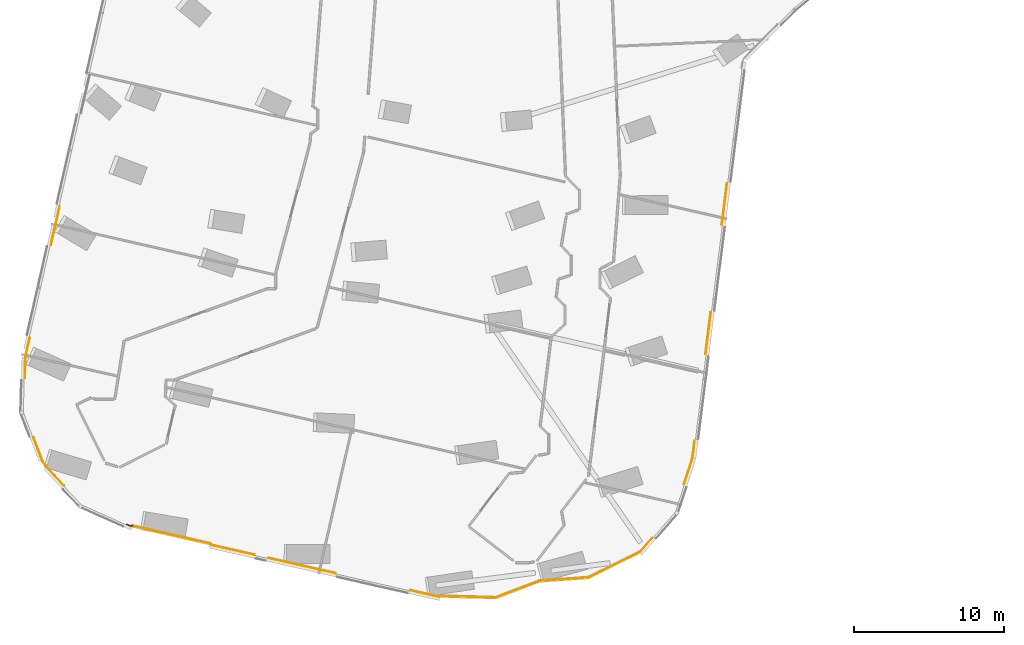
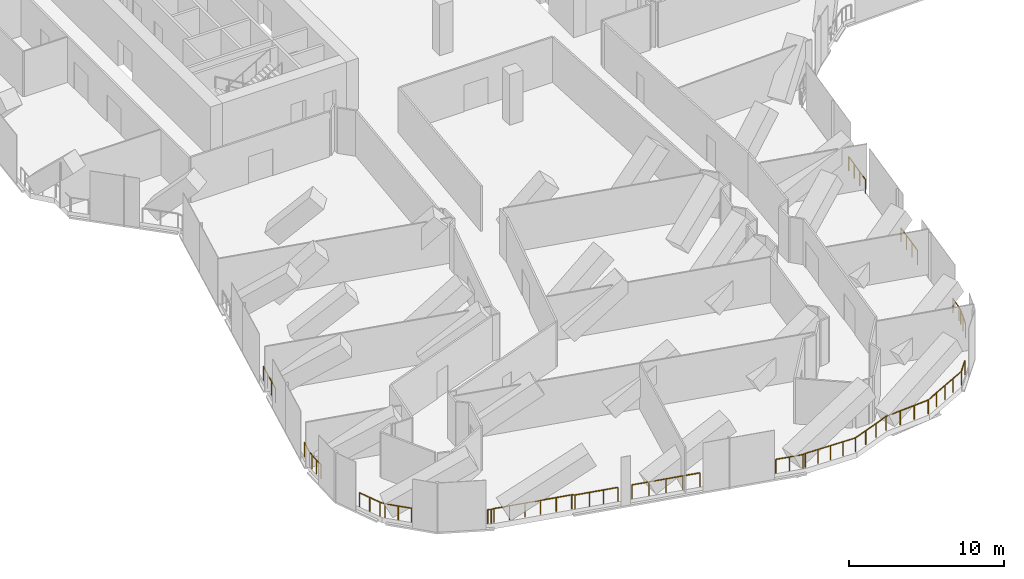
# One storey, part 26 of 29: 12 railings.
"""IFC4 building model written with IfcOpenShell, lengths in metres."""

from ifc_helpers import new_model, si_unit, direction, frame, origin, origin_2d, place, context, subcontext, project, spatial, circle, extrude, material, type_object, element, save


model = new_model("IFC4")

# Units and contexts
model_context = context("Model", 3, precision=1e-05, world=origin(), true_north=direction((0.0, 1.0)))
body_context = subcontext(model_context, "Body", "Model", "MODEL_VIEW")
ifc_project = project(units=[si_unit("LENGTHUNIT", "METRE"), si_unit("AREAUNIT", "SQUARE_METRE"), si_unit("VOLUMEUNIT", "CUBIC_METRE"), si_unit("PLANEANGLEUNIT", "RADIAN"), si_unit("MASSUNIT", "GRAM", prefix="KILO")], contexts=[model_context])

# Site, building, storey
site_placement = place(None, origin())
site = spatial("IfcSite", under=ifc_project, at=site_placement, CompositionType="ELEMENT")
building_placement = place(site_placement, origin())
building = spatial("IfcBuilding", under=site, at=building_placement, Name="Orlundy Tower", CompositionType="ELEMENT")
storey_placement = place(building_placement, frame((0.0, 0.0, 184.60009765625)))
storey = spatial("IfcBuildingStorey", under=building, at=storey_placement, Name="L48", CompositionType="ELEMENT", Elevation=184.60009765625)

# Railings
ifc_material = material(Name="Stainless steel bronze finish", Category="steel")
railing_type = type_object("IfcRailingType", Name="TG1 terrace guard", PredefinedType="GUARDRAIL", material=ifc_material)
railing_1_placement = place(storey_placement, frame((-15.550537109375, -58.466796875, 0.0)))
element("IfcRailing", 1, at=railing_1_placement, inside=storey, type_object=railing_type, Name="Guard TG-L48-E00", PredefinedType="GUARDRAIL", context=body_context, shape_type="SweptSolid", body=[
    extrude(circle(Radius=0.02490234375, at=origin_2d()), frame((0.0, 0.0, 1.09521484375), z_axis=(-0.975020089099, 0.222116694224, 0.0), x_axis=(-0.222116694224, -0.975020089099, 0.0)), (0.0, 0.0, 1.0), 2.874267578125),
    extrude(circle(Radius=0.02490234375, at=origin_2d()), frame((-2.802490234375, 0.638427734375, 1.09521484375), z_axis=(-0.823048318215, 0.567971360091, 0.0), x_axis=(-0.567971360091, -0.823048318215, 0.0)), (0.0, 0.0, 1.0), 0.21533203125),
    extrude(circle(Radius=0.02490234375, at=origin_2d()), frame((-2.979736328125, 0.7607421875, 1.09521484375), z_axis=(-0.975026770207, 0.222087364294, 0.0), x_axis=(-0.222087364294, -0.975026770207, 0.0)), (0.0, 0.0, 1.0), 5.250244140625),
    extrude(circle(Radius=0.02001953125, at=origin_2d()), origin(), (0.0, 0.0, 1.0), 1.070068359375),
    extrude(circle(Radius=0.02001953125, at=origin_2d()), frame((-0.93408203125, 0.212890625, 0.0)), (0.0, 0.0, 1.0), 1.070068359375),
    extrude(circle(Radius=0.02001953125, at=origin_2d()), frame((-1.868408203125, 0.425537109375, 0.0)), (0.0, 0.0, 1.0), 1.070068359375),
    extrude(circle(Radius=0.02001953125, at=origin_2d()), frame((-2.802490234375, 0.638427734375, 0.0)), (0.0, 0.0, 1.0), 1.070068359375),
    extrude(circle(Radius=0.02001953125, at=origin_2d()), frame((-2.979736328125, 0.7607421875, 0.0)), (0.0, 0.0, 1.0), 1.070068359375),
    extrude(circle(Radius=0.02001953125, at=origin_2d()), frame((-4.003662109375, 0.993896484375, 0.0)), (0.0, 0.0, 1.0), 1.070068359375),
    extrude(circle(Radius=0.02001953125, at=origin_2d()), frame((-5.02734375, 1.22705078125, 0.0)), (0.0, 0.0, 1.0), 1.070068359375),
    extrude(circle(Radius=0.02001953125, at=origin_2d()), frame((-6.05126953125, 1.46044921875, 0.0)), (0.0, 0.0, 1.0), 1.070068359375),
    extrude(circle(Radius=0.02001953125, at=origin_2d()), frame((-7.074951171875, 1.693603515625, 0.0)), (0.0, 0.0, 1.0), 1.070068359375),
    extrude(circle(Radius=0.02001953125, at=origin_2d()), frame((-8.098876953125, 1.9267578125, 0.0)), (0.0, 0.0, 1.0), 1.070068359375),
])
railing_2_placement = place(storey_placement, frame((6.65966796875, -59.962890625, 0.0)))
element("IfcRailing", 2, at=railing_2_placement, inside=storey, type_object=railing_type, Name="Guard TG-L48-E01", PredefinedType="GUARDRAIL", context=body_context, shape_type="SweptSolid", body=[
    extrude(circle(Radius=0.02490234375, at=origin_2d()), frame((0.0, 0.0, 1.09521484375), z_axis=(-0.997456428478, -0.071278841802, 0.0), x_axis=(0.071278841802, -0.997456428478, 0.0)), (0.0, 0.0, 1.0), 3.2744140625),
    extrude(circle(Radius=0.02490234375, at=origin_2d()), frame((-3.26611328125, -0.2333984375, 1.09521484375), z_axis=(-0.934697593147, -0.355443960936, 0.0), x_axis=(0.355443960936, -0.934697593147, 0.0)), (0.0, 0.0, 1.0), 3.112060546875),
    extrude(circle(Radius=0.02001953125, at=origin_2d()), origin(), (0.0, 0.0, 1.0), 1.070068359375),
    extrude(circle(Radius=0.02001953125, at=origin_2d()), frame((-1.088623046875, -0.077880859375, 0.0)), (0.0, 0.0, 1.0), 1.070068359375),
    extrude(circle(Radius=0.02001953125, at=origin_2d()), frame((-2.177490234375, -0.155517578125, 0.0)), (0.0, 0.0, 1.0), 1.070068359375),
    extrude(circle(Radius=0.02001953125, at=origin_2d()), frame((-3.26611328125, -0.2333984375, 0.0)), (0.0, 0.0, 1.0), 1.070068359375),
    extrude(circle(Radius=0.02001953125, at=origin_2d()), frame((-4.23583984375, -0.60205078125, 0.0)), (0.0, 0.0, 1.0), 1.070068359375),
    extrude(circle(Radius=0.02001953125, at=origin_2d()), frame((-5.205322265625, -0.970947265625, 0.0)), (0.0, 0.0, 1.0), 1.070068359375),
    extrude(circle(Radius=0.02001953125, at=origin_2d()), frame((-6.175048828125, -1.339599609375, 0.0)), (0.0, 0.0, 1.0), 1.070068359375),
])
railing_3_placement = place(storey_placement, frame((0.484619140625, -61.302490234375, 0.0)))
element("IfcRailing", 3, at=railing_3_placement, inside=storey, type_object=railing_type, Name="Guard TG-L48-E07", PredefinedType="GUARDRAIL", context=body_context, shape_type="SweptSolid", body=[
    extrude(circle(Radius=0.02490234375, at=origin_2d()), frame((0.0, 0.0, 1.09521484375), z_axis=(-0.999619667215, 0.027577543707, 0.0), x_axis=(-0.027577543707, -0.999619667215, 0.0)), (0.0, 0.0, 1.0), 3.682861328125),
    extrude(circle(Radius=0.02490234375, at=origin_2d()), frame((-3.681396484375, 0.1015625, 1.09521484375), z_axis=(-0.98177985059, -0.190021906566, 0.0), x_axis=(0.190021906566, -0.98177985059, 0.0)), (0.0, 0.0, 1.0), 0.192626953125),
    extrude(circle(Radius=0.02490234375, at=origin_2d()), frame((-3.87060546875, 0.06494140625, 1.09521484375), z_axis=(-0.975035936391, 0.222047118301, 0.0), x_axis=(-0.222047118301, -0.975035936391, 0.0)), (0.0, 0.0, 1.0), 1.832763671875),
    extrude(circle(Radius=0.02001953125, at=origin_2d()), origin(), (0.0, 0.0, 1.0), 1.070068359375),
    extrude(circle(Radius=0.02001953125, at=origin_2d()), frame((-0.92041015625, 0.025390625, 0.0)), (0.0, 0.0, 1.0), 1.070068359375),
    extrude(circle(Radius=0.02001953125, at=origin_2d()), frame((-1.8408203125, 0.05078125, 0.0)), (0.0, 0.0, 1.0), 1.070068359375),
    extrude(circle(Radius=0.02001953125, at=origin_2d()), frame((-2.760986328125, 0.076171875, 0.0)), (0.0, 0.0, 1.0), 1.070068359375),
    extrude(circle(Radius=0.02001953125, at=origin_2d()), frame((-3.681396484375, 0.1015625, 0.0)), (0.0, 0.0, 1.0), 1.070068359375),
    extrude(circle(Radius=0.02001953125, at=origin_2d()), frame((-3.87060546875, 0.06494140625, 0.0)), (0.0, 0.0, 1.0), 1.070068359375),
    extrude(circle(Radius=0.02001953125, at=origin_2d()), frame((-4.76416015625, 0.2685546875, 0.0)), (0.0, 0.0, 1.0), 1.070068359375),
    extrude(circle(Radius=0.02001953125, at=origin_2d()), frame((-5.65771484375, 0.471923828125, 0.0)), (0.0, 0.0, 1.0), 1.070068359375),
])
railing_4_placement = place(storey_placement, frame((10.893798828125, -57.337890625, 0.0)))
element("IfcRailing", 4, at=railing_4_placement, inside=storey, type_object=railing_type, Name="Guard TG-L48-E010", PredefinedType="GUARDRAIL", context=body_context, shape_type="SweptSolid", body=[
    extrude(circle(Radius=0.02490234375, at=origin_2d()), frame((0.0, 0.0, 1.09521484375), z_axis=(-0.654953776494, -0.755668942498, 0.0), x_axis=(0.755668942498, -0.654953776494, 0.0)), (0.0, 0.0, 1.0), 1.199951171875),
    extrude(circle(Radius=0.02490234375, at=origin_2d()), frame((-0.785888671875, -0.90673828125, 1.09521484375), z_axis=(-0.895034713302, -0.445996482032, 0.0), x_axis=(0.445996482032, -0.895034713302, 0.0)), (0.0, 0.0, 1.0), 3.8525390625),
    extrude(circle(Radius=0.02001953125, at=origin_2d()), origin(), (0.0, 0.0, 1.0), 1.070068359375),
    extrude(circle(Radius=0.02001953125, at=origin_2d()), frame((-0.785888671875, -0.90673828125, 0.0)), (0.0, 0.0, 1.0), 1.070068359375),
    extrude(circle(Radius=0.02001953125, at=origin_2d()), frame((-1.64794921875, -1.33642578125, 0.0)), (0.0, 0.0, 1.0), 1.070068359375),
    extrude(circle(Radius=0.02001953125, at=origin_2d()), frame((-2.510009765625, -1.765869140625, 0.0)), (0.0, 0.0, 1.0), 1.070068359375),
    extrude(circle(Radius=0.02001953125, at=origin_2d()), frame((-3.3720703125, -2.1953125, 0.0)), (0.0, 0.0, 1.0), 1.070068359375),
    extrude(circle(Radius=0.02001953125, at=origin_2d()), frame((-4.234130859375, -2.625, 0.0)), (0.0, 0.0, 1.0), 1.070068359375),
])
railing_5_placement = place(storey_placement, frame((-10.15966796875, -59.694580078125, 0.0)))
element("IfcRailing", 5, at=railing_5_placement, inside=storey, type_object=railing_type, Name="Guard TG-L48-E014", PredefinedType="GUARDRAIL", context=body_context, shape_type="SweptSolid", body=[
    extrude(circle(Radius=0.02490234375, at=origin_2d()), frame((0.0, 0.0, 1.09521484375), z_axis=(-0.975035422707, 0.22204937394, 0.0), x_axis=(-0.22204937394, -0.975035422707, 0.0)), (0.0, 0.0, 1.0), 4.582763671875),
    extrude(circle(Radius=0.02001953125, at=origin_2d()), origin(), (0.0, 0.0, 1.0), 1.070068359375),
    extrude(circle(Radius=0.02001953125, at=origin_2d()), frame((-1.1171875, 0.25439453125, 0.0)), (0.0, 0.0, 1.0), 1.070068359375),
    extrude(circle(Radius=0.02001953125, at=origin_2d()), frame((-2.234130859375, 0.5087890625, 0.0)), (0.0, 0.0, 1.0), 1.070068359375),
    extrude(circle(Radius=0.02001953125, at=origin_2d()), frame((-3.35107421875, 0.76318359375, 0.0)), (0.0, 0.0, 1.0), 1.070068359375),
    extrude(circle(Radius=0.02001953125, at=origin_2d()), frame((-4.46826171875, 1.017578125, 0.0)), (0.0, 0.0, 1.0), 1.070068359375),
])
railing_6_placement = place(storey_placement, frame((-28.223388671875, -53.855712890625, 0.0)))
element("IfcRailing", 6, at=railing_6_placement, inside=storey, type_object=railing_type, Name="Guard TG-L48-E019", PredefinedType="GUARDRAIL", context=body_context, shape_type="SweptSolid", body=[
    extrude(circle(Radius=0.02490234375, at=origin_2d()), frame((0.0, 0.0, 1.09521484375), z_axis=(-0.687121206875, 0.726542804701, 0.0), x_axis=(-0.726542804701, -0.687121206875, 0.0)), (0.0, 0.0, 1.0), 1.771240234375),
    extrude(circle(Radius=0.02490234375, at=origin_2d()), frame((-1.217041015625, 1.286865234375, 1.09521484375), z_axis=(-0.532675764427, 0.846319401876, 0.0), x_axis=(-0.846319401876, -0.532675764427, 0.0)), (0.0, 0.0, 1.0), 0.376708984375),
    extrude(circle(Radius=0.02490234375, at=origin_2d()), frame((-1.417724609375, 1.605712890625, 1.09521484375), z_axis=(-0.357170956201, 0.934039029188, 0.0), x_axis=(-0.934039029188, -0.357170956201, 0.0)), (0.0, 0.0, 1.0), 1.68359375),
    extrude(circle(Radius=0.02001953125, at=origin_2d()), origin(), (0.0, 0.0, 1.0), 1.070068359375),
    extrude(circle(Radius=0.02001953125, at=origin_2d()), frame((-0.6083984375, 0.6435546875, 0.0)), (0.0, 0.0, 1.0), 1.070068359375),
    extrude(circle(Radius=0.02001953125, at=origin_2d()), frame((-1.217041015625, 1.286865234375, 0.0)), (0.0, 0.0, 1.0), 1.070068359375),
    extrude(circle(Radius=0.02001953125, at=origin_2d()), frame((-1.417724609375, 1.605712890625, 0.0)), (0.0, 0.0, 1.0), 1.070068359375),
    extrude(circle(Radius=0.02001953125, at=origin_2d()), frame((-1.71826171875, 2.39208984375, 0.0)), (0.0, 0.0, 1.0), 1.070068359375),
    extrude(circle(Radius=0.02001953125, at=origin_2d()), frame((-2.01904296875, 3.17822265625, 0.0)), (0.0, 0.0, 1.0), 1.070068359375),
])
railing_7_placement = place(storey_placement, frame((13.717041015625, -50.900634765625, 0.0)))
element("IfcRailing", 7, at=railing_7_placement, inside=storey, type_object=railing_type, Name="Guard TG-L48-E025", PredefinedType="GUARDRAIL", context=body_context, shape_type="SweptSolid", body=[
    extrude(circle(Radius=0.02490234375, at=origin_2d()), frame((0.0, 0.0, 1.09521484375), z_axis=(-0.124750222663, -0.992188178697, 0.0), x_axis=(0.992188178697, -0.124750222663, 0.0)), (0.0, 0.0, 1.0), 1.0078125),
    extrude(circle(Radius=0.02490234375, at=origin_2d()), frame((-0.125732421875, -1.0, 1.09521484375), z_axis=(-0.221566998334, -0.975145150862, 0.0), x_axis=(0.975145150862, -0.221566998334, 0.0)), (0.0, 0.0, 1.0), 0.39013671875),
    extrude(circle(Radius=0.02490234375, at=origin_2d()), frame((-0.212158203125, -1.38037109375, 1.09521484375), z_axis=(-0.315900953165, -0.948792173128, 0.0), x_axis=(0.948792173128, -0.315900953165, 0.0)), (0.0, 0.0, 1.0), 1.56884765625),
    extrude(circle(Radius=0.02001953125, at=origin_2d()), origin(), (0.0, 0.0, 1.0), 1.070068359375),
    extrude(circle(Radius=0.02001953125, at=origin_2d()), frame((-0.125732421875, -1.0, 0.0)), (0.0, 0.0, 1.0), 1.070068359375),
    extrude(circle(Radius=0.02001953125, at=origin_2d()), frame((-0.212158203125, -1.38037109375, 0.0)), (0.0, 0.0, 1.0), 1.070068359375),
    extrude(circle(Radius=0.02001953125, at=origin_2d()), frame((-0.4599609375, -2.12451171875, 0.0)), (0.0, 0.0, 1.0), 1.070068359375),
    extrude(circle(Radius=0.02001953125, at=origin_2d()), frame((-0.707763671875, -2.868896484375, 0.0)), (0.0, 0.0, 1.0), 1.070068359375),
])
railing_8_placement = place(storey_placement, frame((14.79150390625, -42.352783203125, 0.0)))
element("IfcRailing", 8, at=railing_8_placement, inside=storey, type_object=railing_type, Name="Guard TG-L48-E026", PredefinedType="GUARDRAIL", context=body_context, shape_type="SweptSolid", body=[
    extrude(circle(Radius=0.02490234375, at=origin_2d()), frame((0.0, 0.0, 1.09521484375), z_axis=(-0.124706269176, -0.992193704086, 0.0), x_axis=(0.992193704086, -0.124706269176, 0.0)), (0.0, 0.0, 1.0), 2.774169921875),
    extrude(circle(Radius=0.02001953125, at=origin_2d()), origin(), (0.0, 0.0, 1.0), 1.070068359375),
    extrude(circle(Radius=0.02001953125, at=origin_2d()), frame((-0.115234375, -0.91748046875, 0.0)), (0.0, 0.0, 1.0), 1.070068359375),
    extrude(circle(Radius=0.02001953125, at=origin_2d()), frame((-0.230712890625, -1.8349609375, 0.0)), (0.0, 0.0, 1.0), 1.070068359375),
    extrude(circle(Radius=0.02001953125, at=origin_2d()), frame((-0.345947265625, -2.75244140625, 0.0)), (0.0, 0.0, 1.0), 1.070068359375),
])
railing_9_placement = place(storey_placement, frame((15.871337890625, -33.76416015625, 0.0)))
element("IfcRailing", 9, at=railing_9_placement, inside=storey, type_object=railing_type, Name="Guard TG-L48-E027", PredefinedType="GUARDRAIL", context=body_context, shape_type="SweptSolid", body=[
    extrude(circle(Radius=0.02490234375, at=origin_2d()), frame((0.0, 0.0, 1.09521484375), z_axis=(-0.124654924716, -0.99220015609, 0.0), x_axis=(0.99220015609, -0.124654924716, 0.0)), (0.0, 0.0, 1.0), 2.761474609375),
    extrude(circle(Radius=0.02001953125, at=origin_2d()), origin(), (0.0, 0.0, 1.0), 1.070068359375),
    extrude(circle(Radius=0.02001953125, at=origin_2d()), frame((-0.11474609375, -0.913330078125, 0.0)), (0.0, 0.0, 1.0), 1.070068359375),
    extrude(circle(Radius=0.02001953125, at=origin_2d()), frame((-0.2294921875, -1.82666015625, 0.0)), (0.0, 0.0, 1.0), 1.070068359375),
    extrude(circle(Radius=0.02001953125, at=origin_2d()), frame((-0.34423828125, -2.739990234375, 0.0)), (0.0, 0.0, 1.0), 1.070068359375),
])
railing_10_placement = place(storey_placement, frame((-30.82763671875, -46.70751953125, 0.0)))
element("IfcRailing", 10, at=railing_10_placement, inside=storey, type_object=railing_type, Name="Guard TG-L48-E028", PredefinedType="GUARDRAIL", context=body_context, shape_type="SweptSolid", body=[
    extrude(circle(Radius=0.02490234375, at=origin_2d()), frame((0.0, 0.0, 1.09521484375), z_axis=(0.027750443107, 0.999614882296, 0.0), x_axis=(-0.999614882296, 0.027750443107, 0.0)), (0.0, 0.0, 1.0), 1.222900390625),
    extrude(circle(Radius=0.02490234375, at=origin_2d()), frame((0.033935546875, 1.222412109375, 1.09521484375), z_axis=(0.125728252523, 0.992064718916, 0.0), x_axis=(-0.992064718916, 0.125728252523, 0.0)), (0.0, 0.0, 1.0), 0.390380859375),
    extrude(circle(Radius=0.02490234375, at=origin_2d()), frame((0.0830078125, 1.609619140625, 1.09521484375), z_axis=(0.222059562064, 0.975033102462, 0.0), x_axis=(-0.975033102462, 0.222059562064, 0.0)), (0.0, 0.0, 1.0), 1.0830078125),
    extrude(circle(Radius=0.02001953125, at=origin_2d()), origin(), (0.0, 0.0, 1.0), 1.070068359375),
    extrude(circle(Radius=0.02001953125, at=origin_2d()), frame((0.01708984375, 0.611328125, 0.0)), (0.0, 0.0, 1.0), 1.070068359375),
    extrude(circle(Radius=0.02001953125, at=origin_2d()), frame((0.033935546875, 1.222412109375, 0.0)), (0.0, 0.0, 1.0), 1.070068359375),
    extrude(circle(Radius=0.02001953125, at=origin_2d()), frame((0.0830078125, 1.609619140625, 0.0)), (0.0, 0.0, 1.0), 1.070068359375),
    extrude(circle(Radius=0.02001953125, at=origin_2d()), frame((0.323486328125, 2.66552734375, 0.0)), (0.0, 0.0, 1.0), 1.070068359375),
])
railing_11_placement = place(storey_placement, frame((-29.094482421875, -37.85400390625, 0.0)))
element("IfcRailing", 11, at=railing_11_placement, inside=storey, type_object=railing_type, Name="Guard TG-L48-E029", PredefinedType="GUARDRAIL", context=body_context, shape_type="SweptSolid", body=[
    extrude(circle(Radius=0.02490234375, at=origin_2d()), frame((0.0, 0.0, 1.09521484375), z_axis=(0.222042756642, 0.975036929671, 0.0), x_axis=(-0.975036929671, 0.222042756642, 0.0)), (0.0, 0.0, 1.0), 2.6025390625),
    extrude(circle(Radius=0.02001953125, at=origin_2d()), origin(), (0.0, 0.0, 1.0), 1.070068359375),
    extrude(circle(Radius=0.02001953125, at=origin_2d()), frame((0.192626953125, 0.845947265625, 0.0)), (0.0, 0.0, 1.0), 1.070068359375),
    extrude(circle(Radius=0.02001953125, at=origin_2d()), frame((0.38525390625, 1.691650390625, 0.0)), (0.0, 0.0, 1.0), 1.070068359375),
    extrude(circle(Radius=0.02001953125, at=origin_2d()), frame((0.577880859375, 2.53759765625, 0.0)), (0.0, 0.0, 1.0), 1.070068359375),
])
railing_12_placement = place(storey_placement, frame((-23.6494140625, -56.5400390625, 0.0)))
element("IfcRailing", 12, at=railing_12_placement, inside=storey, type_object=railing_type, Name="Guard TG-L48-E032", PredefinedType="GUARDRAIL", context=body_context, shape_type="SweptSolid", body=[
    extrude(circle(Radius=0.02490234375, at=origin_2d()), frame((0.0, 0.0, 1.09521484375), z_axis=(-0.99997997176, 0.006328987163, 0.0), x_axis=(-0.006328987163, -0.99997997176, 0.0)), (0.0, 0.0, 1.0), 0.19287109375),
    extrude(circle(Radius=0.02490234375, at=origin_2d()), frame((-0.19287109375, 0.001220703125, 1.09521484375), z_axis=(-0.912974939013, 0.408015637855, 0.0), x_axis=(-0.408015637855, -0.912974939013, 0.0)), (0.0, 0.0, 1.0), 0.229248046875),
    extrude(circle(Radius=0.02001953125, at=origin_2d()), origin(), (0.0, 0.0, 1.0), 1.070068359375),
    extrude(circle(Radius=0.02001953125, at=origin_2d()), frame((-0.19287109375, 0.001220703125, 0.0)), (0.0, 0.0, 1.0), 1.070068359375),
    extrude(circle(Radius=0.02001953125, at=origin_2d()), frame((-0.402099609375, 0.0947265625, 0.0)), (0.0, 0.0, 1.0), 1.070068359375),
])

save(model, "model.ifc")
